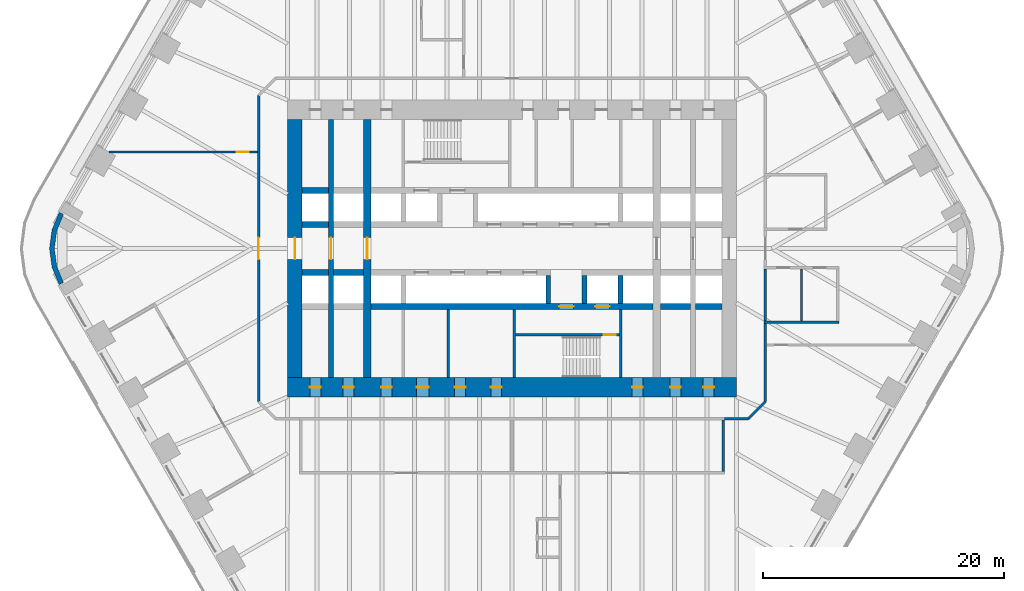
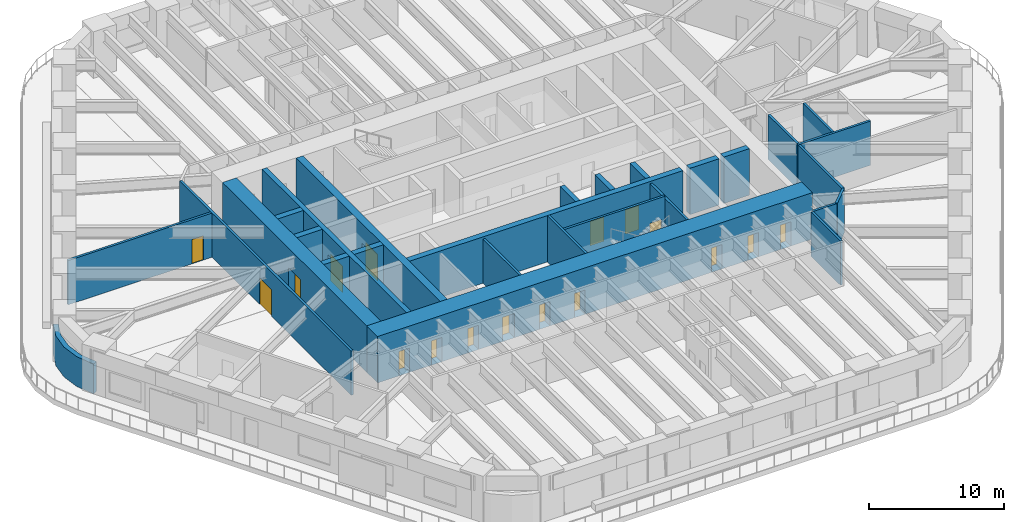
# One storey, part 17 of 24: 28 walls, 17 doors, 17 openings.
"""IFC4 building model written with IfcOpenShell, lengths in metres."""

from ifc_helpers import new_model, si_unit, direction, frame, frame_2d, origin, place, context, subcontext, project, spatial, polyline, rectangle, outline, extrude, material, layer, layer_set, type_object, element, fill, save


model = new_model("IFC4")

# Units and contexts
model_context = context("Model", 3, precision=1e-05, world=origin(), true_north=direction((0.0, 1.0)))
body_context = subcontext(model_context, "Body", "Model", "MODEL_VIEW")
ifc_project = project(units=[si_unit("LENGTHUNIT", "METRE"), si_unit("AREAUNIT", "SQUARE_METRE"), si_unit("VOLUMEUNIT", "CUBIC_METRE"), si_unit("PLANEANGLEUNIT", "RADIAN"), si_unit("MASSUNIT", "GRAM", prefix="KILO")], contexts=[model_context])

# Site, building, storey
site_placement = place(None, origin())
site = spatial("IfcSite", under=ifc_project, at=site_placement, CompositionType="ELEMENT")
building_placement = place(site_placement, origin())
building = spatial("IfcBuilding", under=site, at=building_placement, Name="Tarfa Lantern Tower", CompositionType="ELEMENT")
storey_placement = place(building_placement, frame((0.0, 0.0, 65.5)))
storey = spatial("IfcBuildingStorey", under=building, at=storey_placement, Name="L14", CompositionType="ELEMENT", Elevation=65.5)

# Walls
ifc_material_1 = material(Name="Limestone cladding on blockwork", Category="masonry")
ifc_layer_1 = layer(ifc_material_1, 0.39990234375)
ifc_layer_set_1 = layer_set([ifc_layer_1], Name="EW2 CURVED STONE CORNER 400")
wall_type_1 = type_object("IfcWallType", Name="EW2 CURVED STONE CORNER 400", PredefinedType="SOLIDWALL", material=ifc_layer_set_1)
wall_1_placement = place(storey_placement, origin())
element("IfcWall", 1, at=wall_1_placement, inside=storey, type_object=wall_type_1, Name="Stone corner NW-SW", PredefinedType="SOLIDWALL", context=body_context, shape_type="SweptSolid", body=[
    extrude(outline(polyline([(-37.52783203125, 3.0), (-38.127197265625, 1.552978515625), (-38.33154296875, 0.0), (-38.127197265625, -1.552978515625), (-37.52783203125, -3.0), (-37.181396484375, -2.800048828125), (-37.74072265625, -1.449462890625), (-37.931640625, 0.0), (-37.74072265625, 1.449462890625), (-37.181396484375, 2.800048828125), (-37.52783203125, 3.0)])), origin(), (0.0, 0.0, 1.0), 2.699951171875),
])
ifc_material_2 = material(Name="Concrete blockwork", Category="masonry")
ifc_layer_2 = layer(ifc_material_2, 0.199951171875)
ifc_layer_set_2 = layer_set([ifc_layer_2], Name="IW1 BLOCKWORK PARTITION 200 EI 120")
wall_type_2 = type_object("IfcWallType", Name="IW1 BLOCKWORK PARTITION 200 EI 120", PredefinedType="PARTITIONING", material=ifc_layer_set_2)
for number, where, z_axis, x_axis, name in (
    (2, (9.0, -5.050048828125, 0.0), (0.0, 0.0, 1.0), (0.0, -1.0, 0.0), "Core partition"),
    (3, (-5.300048828125, -5.050048828125, 0.0), (0.0, 0.0, 1.0), (0.0, -1.0, 0.0), "Core partition"),
):
    element("IfcWall", number, at=place(storey_placement, frame(where, z_axis=z_axis, x_axis=x_axis)), inside=storey, type_object=wall_type_2, Name=name, PredefinedType="PARTITIONING", context=body_context, shape_type="SweptSolid", body=[
        extrude(rectangle(XDim=5.64990234375, YDim=0.199951171875, at=frame_2d((2.824951171875, 0.0))), origin(), (0.0, 0.0, 1.0), 4.0),
    ])
ifc_material_3 = material(Name="Gypsum board on steel studs", Category="steel")
ifc_layer_3 = layer(ifc_material_3, 0.2099609375)
ifc_layer_set_3 = layer_set([ifc_layer_3], Name="IW2 ACOUSTIC PARTITION 200")
wall_type_3 = type_object("IfcWallType", Name="IW2 ACOUSTIC PARTITION 200", PredefinedType="PARTITIONING", material=ifc_layer_set_3)
wall_2_placement = place(storey_placement, frame((17.5, -14.199951171875, 0.0), z_axis=(0.0, 0.0, 1.0), x_axis=(0.0, -1.0, 0.0)))
element("IfcWall", 4, at=wall_2_placement, inside=storey, type_object=wall_type_3, Name="Partition", PredefinedType="PARTITIONING", context=body_context, shape_type="SweptSolid", body=[
    extrude(rectangle(XDim=4.300048828125, YDim=0.199951171875, at=frame_2d((2.14990234375, 0.0))), origin(), (0.0, 0.0, 1.0), 4.0),
])
wall_3_placement = place(storey_placement, frame((20.89990234375, -6.10009765625, 0.0), z_axis=(0.0, 0.0, 1.0), x_axis=(1.0, 0.0, 0.0)))
element("IfcWall", 5, at=wall_3_placement, inside=storey, type_object=wall_type_3, Name="Partition", PredefinedType="PARTITIONING", context=body_context, shape_type="SweptSolid", body=[
    extrude(rectangle(XDim=6.2001953125, YDim=0.199951171875, at=frame_2d((3.10009765625, 0.0))), origin(), (0.0, 0.0, 1.0), 4.0),
])
for number, where, z_axis, x_axis, name in (
    (6, (21.0, -1.699951171875, 0.0), (0.0, 0.0, 1.0), (0.0, -1.0, 0.0), "Partition"),
    (7, (24.0, -1.699951171875, 0.0), (0.0, 0.0, 1.0), (0.0, -1.0, 0.0), "Partition"),
):
    element("IfcWall", number, at=place(storey_placement, frame(where, z_axis=z_axis, x_axis=x_axis)), inside=storey, type_object=wall_type_3, Name=name, PredefinedType="PARTITIONING", context=body_context, shape_type="SweptSolid", body=[
        extrude(rectangle(XDim=4.300048828125, YDim=0.199951171875, at=frame_2d((2.14990234375, 0.0))), origin(), (0.0, 0.0, 1.0), 4.0),
    ])
wall_4_placement = place(storey_placement, frame((21.0, -6.200927734375, 0.0), z_axis=(0.0, 0.0, 1.0), x_axis=(0.0, -1.0, 0.0)))
element("IfcWall", 8, at=wall_4_placement, inside=storey, type_object=wall_type_3, Name="Partition", PredefinedType="PARTITIONING", context=body_context, shape_type="SweptSolid", body=[
    extrude(rectangle(XDim=6.4990234375, YDim=0.199951171875, at=frame_2d((3.24951171875, 0.0))), origin(), (0.0, 0.0, 1.0), 4.0),
])
wall_5_placement = place(storey_placement, frame((21.0, -12.699951171875, 0.0), z_axis=(0.0, 0.0, 1.0), x_axis=(-0.707045124756, -0.707168432242, 0.0)))
element("IfcWall", 9, at=wall_5_placement, inside=storey, type_object=wall_type_3, Name="Partition", PredefinedType="PARTITIONING", context=body_context, shape_type="SweptSolid", body=[
    extrude(rectangle(XDim=1.97998046875, YDim=0.199951171875, at=frame_2d((0.989990234375, 0.0))), origin(), (0.0, 0.0, 1.0), 4.0),
])
wall_6_placement = place(storey_placement, frame((19.60009765625, -14.10009765625, 0.0), z_axis=(0.0, 0.0, 1.0), x_axis=(-1.0, 0.0, 0.0)))
element("IfcWall", 10, at=wall_6_placement, inside=storey, type_object=wall_type_3, Name="Partition", PredefinedType="PARTITIONING", context=body_context, shape_type="SweptSolid", body=[
    extrude(rectangle(XDim=2.0, YDim=0.199951171875, at=frame_2d((1.0, 0.0))), origin(), (0.0, 0.0, 1.0), 4.0),
])

# Wall, opening, door
wall_7_placement = place(storey_placement, frame((-21.0, -12.699951171875, 0.0), z_axis=(0.0, 0.0, 1.0), x_axis=(0.0, 1.0, 0.0)))
wall_7 = element("IfcWall", 11, at=wall_7_placement, inside=storey, type_object=wall_type_3, Name="Partition", PredefinedType="PARTITIONING", context=body_context, shape_type="SweptSolid", body=[
    extrude(rectangle(XDim=25.39990234375, YDim=0.199951171875, at=frame_2d((12.699951171875, 0.0))), origin(), (0.0, 0.0, 1.0), 4.0),
])
opening_1_placement = place(wall_7_placement, frame((11.800048828125, 0.0, 0.0)))
opening_1 = element("IfcOpeningElement", 12, at=opening_1_placement, cuts=wall_7, Name="Opening D49", PredefinedType="OPENING", context=body_context, shape_type="SweptSolid", body=[
    extrude(rectangle(XDim=1.800048828125, YDim=2.39990234375, at=frame_2d((0.89990234375, 1.199951171875))), frame((0.0, 0.10986328125, 0.0), z_axis=(0.0, -1.0, 0.0), x_axis=(1.0, 0.0, 0.0)), (0.0, 0.0, 1.0), 0.219970703125),
])
ifc_material_4 = material(Name="Timber door", Category="wood")
door_type_1 = type_object("IfcDoorType", Name="DR2 ROOM DOOR 1800x2400", OperationType="DOUBLE_DOOR_SINGLE_SWING", PredefinedType="DOOR", material=ifc_material_4)
door_1_placement = place(opening_1_placement, origin())
door_1 = element("IfcDoor", 13, at=door_1_placement, inside=storey, type_object=door_type_1, Name="Corridor door", OperationType="DOUBLE_DOOR_SINGLE_SWING", OverallHeight=2.39990234375, OverallWidth=1.800048828125, PredefinedType="DOOR", context=body_context, shape_type="SweptSolid", body=[
    extrude(rectangle(XDim=1.800048828125, YDim=2.39990234375, at=frame_2d((0.89990234375, 1.199951171875))), frame((0.0, 0.02490234375, 0.0), z_axis=(0.0, -1.0, 0.0), x_axis=(1.0, 0.0, 0.0)), (0.0, 0.0, 1.0), 0.050048828125),
])
fill(opening_1, door_1)

wall_8_placement = place(storey_placement, frame((-21.10009765625, 8.0, 0.0), z_axis=(0.0, 0.0, 1.0), x_axis=(-1.0, 0.0, 0.0)))
wall_8 = element("IfcWall", 14, at=wall_8_placement, inside=storey, type_object=wall_type_3, Name="Partition", PredefinedType="PARTITIONING", context=body_context, shape_type="SweptSolid", body=[
    extrude(rectangle(XDim=12.310791015625, YDim=0.199951171875, at=frame_2d((6.1552734375, 0.0))), origin(), (0.0, 0.0, 1.0), 4.0),
])
opening_2_placement = place(wall_8_placement, frame((0.731201171875, 0.0, 0.0)))
opening_2 = element("IfcOpeningElement", 15, at=opening_2_placement, cuts=wall_8, Name="Opening D53", PredefinedType="OPENING", context=body_context, shape_type="SweptSolid", body=[
    extrude(rectangle(XDim=1.0, YDim=2.199951171875, at=frame_2d((0.5, 1.10009765625))), frame((0.0, 0.10986328125, 0.0), z_axis=(0.0, -1.0, 0.0), x_axis=(1.0, 0.0, 0.0)), (0.0, 0.0, 1.0), 0.219970703125),
])
door_type_2 = type_object("IfcDoorType", Name="DR1 ROOM DOOR 1000x2200", OperationType="SINGLE_SWING_LEFT", PredefinedType="DOOR", material=ifc_material_4)
door_2_placement = place(opening_2_placement, frame((1.0, 0.0, 0.0), z_axis=(0.0, 0.0, 1.0), x_axis=(-1.0, 0.0, 0.0)))
door_2 = element("IfcDoor", 16, at=door_2_placement, inside=storey, type_object=door_type_2, Name="Zone door", OperationType="SINGLE_SWING_LEFT", OverallHeight=2.199951171875, OverallWidth=1.0, PredefinedType="DOOR", context=body_context, shape_type="SweptSolid", body=[
    extrude(rectangle(XDim=1.0, YDim=2.199951171875, at=frame_2d((0.5, 1.10009765625))), frame((0.0, 0.02490234375, 0.0), z_axis=(0.0, -1.0, 0.0), x_axis=(1.0, 0.0, 0.0)), (0.0, 0.0, 1.0), 0.050048828125),
])
fill(opening_2, door_2)

ifc_material_5 = material(Name="Concrete C80/95", Category="concrete")
ifc_layer_4 = layer(ifc_material_5, 1.199951171875)
ifc_layer_set_4 = layer_set([ifc_layer_4], Name="SW1 CORE WALL 1200")
wall_type_4 = type_object("IfcWallType", Name="SW1 CORE WALL 1200", PredefinedType="SHEAR", material=ifc_layer_set_4)
wall_9_placement = place(storey_placement, frame((-18.0, 10.699951171875, 0.0), z_axis=(0.0, 0.0, 1.0), x_axis=(0.0, -1.0, 0.0)))
wall_9 = element("IfcWall", 17, at=wall_9_placement, inside=storey, type_object=wall_type_4, Name="Core wall W", PredefinedType="SHEAR", context=body_context, shape_type="SweptSolid", body=[
    extrude(rectangle(XDim=21.39990234375, YDim=1.199951171875, at=frame_2d((10.699951171875, 0.0))), origin(), (0.0, 0.0, 1.0), 4.199951171875),
])
opening_3_placement = place(wall_9_placement, frame((9.800048828125, 0.0, 0.0)))
opening_3 = element("IfcOpeningElement", 18, at=opening_3_placement, cuts=wall_9, Name="Opening D16", PredefinedType="OPENING", context=body_context, shape_type="SweptSolid", body=[
    extrude(rectangle(XDim=1.800048828125, YDim=2.39990234375, at=frame_2d((0.89990234375, 1.199951171875))), frame((0.0, 0.60986328125, 0.0), z_axis=(0.0, -1.0, 0.0), x_axis=(1.0, 0.0, 0.0)), (0.0, 0.0, 1.0), 1.219970703125),
])
ifc_material_6 = material(Name="Steel fire door", Category="steel")
door_type_3 = type_object("IfcDoorType", Name="DL1 LOBBY DOOR 1800x2400", OperationType="DOUBLE_DOOR_SINGLE_SWING", PredefinedType="DOOR", material=ifc_material_6)
door_3_placement = place(opening_3_placement, frame((1.800048828125, 0.0, 0.0), z_axis=(0.0, 0.0, 1.0), x_axis=(-1.0, 0.0, 0.0)))
door_3 = element("IfcDoor", 19, at=door_3_placement, inside=storey, type_object=door_type_3, Name="Lift lobby door", OperationType="DOUBLE_DOOR_SINGLE_SWING", OverallHeight=2.39990234375, OverallWidth=1.800048828125, PredefinedType="DOOR", context=body_context, shape_type="SweptSolid", body=[
    extrude(rectangle(XDim=1.800048828125, YDim=2.39990234375, at=frame_2d((0.89990234375, 1.199951171875))), frame((0.0, 0.02490234375, 0.0), z_axis=(0.0, -1.0, 0.0), x_axis=(1.0, 0.0, 0.0)), (0.0, 0.0, 1.0), 0.050048828125),
])
fill(opening_3, door_3)

# Wall
ifc_layer_5 = layer(ifc_material_5, 0.199951171875)
ifc_layer_set_5 = layer_set([ifc_layer_5], Name="SW12 CORE WALL 200")
wall_type_5 = type_object("IfcWallType", Name="SW12 CORE WALL 200", PredefinedType="SHEAR", material=ifc_layer_set_5)
wall_10_placement = place(storey_placement, frame((0.199951171875, -5.050048828125, 0.0), z_axis=(0.0, 0.0, 1.0), x_axis=(0.0, -1.0, 0.0)))
element("IfcWall", 20, at=wall_10_placement, inside=storey, type_object=wall_type_5, Name="Core wall stair shaft S", PredefinedType="SHEAR", context=body_context, shape_type="SweptSolid", body=[
    extrude(rectangle(XDim=5.64990234375, YDim=0.199951171875, at=frame_2d((2.824951171875, 0.0))), origin(), (0.0, 0.0, 1.0), 4.199951171875),
])

# Wall, opening, door
wall_11_placement = place(storey_placement, frame((8.89990234375, -7.14990234375, 0.0), z_axis=(0.0, 0.0, 1.0), x_axis=(-1.0, 0.0, 0.0)))
wall_11 = element("IfcWall", 21, at=wall_11_placement, inside=storey, type_object=wall_type_5, Name="Core wall stair partition S", PredefinedType="SHEAR", context=body_context, shape_type="SweptSolid", body=[
    extrude(rectangle(XDim=8.599853515625, YDim=0.199951171875, at=frame_2d((4.2998046875, 0.0))), origin(), (0.0, 0.0, 1.0), 4.199951171875),
])
opening_4_placement = place(wall_11_placement, frame((0.300048828125, 0.0, 0.0)))
opening_4 = element("IfcOpeningElement", 22, at=opening_4_placement, cuts=wall_11, Name="Opening D24", PredefinedType="OPENING", context=body_context, shape_type="SweptSolid", body=[
    extrude(rectangle(XDim=1.0, YDim=2.199951171875, at=frame_2d((0.5, 1.10009765625))), frame((0.0, 0.10986328125, 0.0), z_axis=(0.0, -1.0, 0.0), x_axis=(1.0, 0.0, 0.0)), (0.0, 0.0, 1.0), 0.219970703125),
])
door_type_4 = type_object("IfcDoorType", Name="DF2 STAIR DOOR 1000x2200", OperationType="SINGLE_SWING_LEFT", PredefinedType="DOOR", material=ifc_material_6)
door_4_placement = place(opening_4_placement, origin())
door_4 = element("IfcDoor", 23, at=door_4_placement, inside=storey, type_object=door_type_4, Name="Stair door", OperationType="SINGLE_SWING_RIGHT", OverallHeight=2.199951171875, OverallWidth=1.0, PredefinedType="DOOR", context=body_context, shape_type="SweptSolid", body=[
    extrude(rectangle(XDim=1.0, YDim=2.199951171875, at=frame_2d((0.5, 1.10009765625))), frame((0.0, 0.02490234375, 0.0), z_axis=(0.0, -1.0, 0.0), x_axis=(1.0, 0.0, 0.0)), (0.0, 0.0, 1.0), 0.050048828125),
])
fill(opening_4, door_4)

# Walls
ifc_layer_6 = layer(ifc_material_5, 0.5)
ifc_layer_set_6 = layer_set([ifc_layer_6], Name="SW5 CORE WALL 500")
wall_type_6 = type_object("IfcWallType", Name="SW5 CORE WALL 500", PredefinedType="SHEAR", material=ifc_layer_set_6)
for number, where, z_axis, x_axis, name in (
    (24, (-17.39990234375, 2.0, 0.0), (0.0, 0.0, 1.0), (1.0, 0.0, 0.0), "Core wall lobby west N"),
    (25, (-17.39990234375, 4.800048828125, 0.0), (0.0, 0.0, 1.0), (1.0, 0.0, 0.0), "Core wall rear N"),
):
    element("IfcWall", number, at=place(storey_placement, frame(where, z_axis=z_axis, x_axis=x_axis)), inside=storey, type_object=wall_type_6, Name=name, PredefinedType="SHEAR", context=body_context, shape_type="SweptSolid", body=[
        extrude(rectangle(XDim=2.199951171875, YDim=0.5, at=frame_2d((1.10009765625, 0.0))), origin(), (0.0, 0.0, 1.0), 4.199951171875),
    ])
wall_12_placement = place(storey_placement, frame((-12.300048828125, -2.0, 0.0), z_axis=(0.0, 0.0, 1.0), x_axis=(-1.0, 0.0, 0.0)))
element("IfcWall", 26, at=wall_12_placement, inside=storey, type_object=wall_type_6, Name="Core wall lobby east S", PredefinedType="SHEAR", context=body_context, shape_type="SweptSolid", body=[
    extrude(rectangle(XDim=2.5, YDim=0.5, at=frame_2d((1.25, 0.0))), origin(), (0.0, 0.0, 1.0), 4.199951171875),
])
for number, where, z_axis, x_axis, name in (
    (27, (-15.199951171875, -2.0, 0.0), (0.0, 0.0, 1.0), (-1.0, 0.0, 0.0), "Core wall lobby east S"),
    (28, (17.39990234375, -4.800048828125, 0.0), (0.0, 0.0, 1.0), (-1.0, 0.0, 0.0), "Core wall rear S"),
):
    element("IfcWall", number, at=place(storey_placement, frame(where, z_axis=z_axis, x_axis=x_axis)), inside=storey, type_object=wall_type_6, Name=name, PredefinedType="SHEAR", context=body_context, shape_type="SweptSolid", body=[
        extrude(rectangle(XDim=2.199951171875, YDim=0.5, at=frame_2d((1.10009765625, 0.0))), origin(), (0.0, 0.0, 1.0), 4.199951171875),
    ])
wall_13_placement = place(storey_placement, frame((14.800048828125, -4.800048828125, 0.0), z_axis=(0.0, 0.0, 1.0), x_axis=(-1.0, 0.0, 0.0)))
element("IfcWall", 29, at=wall_13_placement, inside=storey, type_object=wall_type_6, Name="Core wall rear S", PredefinedType="SHEAR", context=body_context, shape_type="SweptSolid", body=[
    extrude(rectangle(XDim=2.5, YDim=0.5, at=frame_2d((1.25, 0.0))), origin(), (0.0, 0.0, 1.0), 4.199951171875),
])

# Wall, openings, doors
wall_14_placement = place(storey_placement, frame((11.699951171875, -4.800048828125, 0.0), z_axis=(0.0, 0.0, 1.0), x_axis=(-1.0, 0.0, 0.0)))
wall_14 = element("IfcWall", 30, at=wall_14_placement, inside=storey, type_object=wall_type_6, Name="Core wall rear S", PredefinedType="SHEAR", context=body_context, shape_type="SweptSolid", body=[
    extrude(rectangle(XDim=23.39990234375, YDim=0.5, at=frame_2d((11.699951171875, 0.0))), origin(), (0.0, 0.0, 1.0), 4.199951171875),
])
opening_5_placement = place(wall_14_placement, frame((6.60009765625, 0.0, 0.0)))
opening_5 = element("IfcOpeningElement", 31, at=opening_5_placement, cuts=wall_14, Name="Opening D14", PredefinedType="OPENING", context=body_context, shape_type="SweptSolid", body=[
    extrude(rectangle(XDim=1.199951171875, YDim=2.199951171875, at=frame_2d((0.60009765625, 1.10009765625))), frame((0.0, 0.260009765625, 0.0), z_axis=(0.0, -1.0, 0.0), x_axis=(1.0, 0.0, 0.0)), (0.0, 0.0, 1.0), 0.52001953125),
])
opening_6_placement = place(wall_14_placement, frame((3.60009765625, 0.0, 0.0)))
opening_6 = element("IfcOpeningElement", 32, at=opening_6_placement, cuts=wall_14, Name="Opening LD02", PredefinedType="OPENING", context=body_context, shape_type="SweptSolid", body=[
    extrude(rectangle(XDim=1.199951171875, YDim=2.199951171875, at=frame_2d((0.60009765625, 1.10009765625))), frame((0.0, 0.260009765625, 0.0), z_axis=(0.0, -1.0, 0.0), x_axis=(1.0, 0.0, 0.0)), (0.0, 0.0, 1.0), 0.52001953125),
])
door_type_5 = type_object("IfcDoorType", Name="DF1 FIREFIGHTING LOBBY DOOR 1200x2200", OperationType="SINGLE_SWING_LEFT", PredefinedType="DOOR", material=ifc_material_6)
door_5_placement = place(opening_5_placement, origin())
door_5 = element("IfcDoor", 33, at=door_5_placement, inside=storey, type_object=door_type_5, Name="Firefighting lobby door", OperationType="SINGLE_SWING_LEFT", OverallHeight=2.199951171875, OverallWidth=1.199951171875, PredefinedType="DOOR", context=body_context, shape_type="SweptSolid", body=[
    extrude(rectangle(XDim=1.199951171875, YDim=2.199951171875, at=frame_2d((0.60009765625, 1.10009765625))), frame((0.0, 0.02490234375, 0.0), z_axis=(0.0, -1.0, 0.0), x_axis=(1.0, 0.0, 0.0)), (0.0, 0.0, 1.0), 0.050048828125),
])
fill(opening_5, door_5)
ifc_material_7 = material(Name="Stainless steel lift door", Category="steel")
door_type_6 = type_object("IfcDoorType", Name="LD1 LIFT LANDING DOOR 1200x2200", OperationType="SLIDING_TO_LEFT", PredefinedType="DOOR", material=ifc_material_7)
door_6_placement = place(opening_6_placement, origin())
door_6 = element("IfcDoor", 34, at=door_6_placement, inside=storey, type_object=door_type_6, Name="Landing door FL2", OperationType="SLIDING_TO_LEFT", OverallHeight=2.199951171875, OverallWidth=1.199951171875, PredefinedType="DOOR", context=body_context, shape_type="SweptSolid", body=[
    extrude(rectangle(XDim=1.199951171875, YDim=2.199951171875, at=frame_2d((0.60009765625, 1.10009765625))), frame((0.0, 0.02490234375, 0.0), z_axis=(0.0, -1.0, 0.0), x_axis=(1.0, 0.0, 0.0)), (0.0, 0.0, 1.0), 0.050048828125),
])
fill(opening_6, door_6)

# Wall, opening, door
ifc_layer_7 = layer(ifc_material_5, 0.39990234375)
ifc_layer_set_7 = layer_set([ifc_layer_7], Name="SW6 CORE WALL 400")
wall_type_7 = type_object("IfcWallType", Name="SW6 CORE WALL 400", PredefinedType="SHEAR", material=ifc_layer_set_7)
wall_15_placement = place(storey_placement, frame((-15.0, -10.699951171875, 0.0), z_axis=(0.0, 0.0, 1.0), x_axis=(0.0, 1.0, 0.0)))
wall_15 = element("IfcWall", 35, at=wall_15_placement, inside=storey, type_object=wall_type_7, Name="Core wall cross 15 m west", PredefinedType="SHEAR", context=body_context, shape_type="SweptSolid", body=[
    extrude(rectangle(XDim=21.39990234375, YDim=0.39990234375, at=frame_2d((10.699951171875, 0.0))), origin(), (0.0, 0.0, 1.0), 4.199951171875),
])
opening_7_placement = place(wall_15_placement, frame((9.800048828125, 0.0, 0.0)))
opening_7 = element("IfcOpeningElement", 36, at=opening_7_placement, cuts=wall_15, Name="Opening D28", PredefinedType="OPENING", context=body_context, shape_type="SweptSolid", body=[
    extrude(rectangle(XDim=1.800048828125, YDim=2.39990234375, at=frame_2d((0.89990234375, 1.199951171875))), frame((0.0, 0.2099609375, 0.0), z_axis=(0.0, -1.0, 0.0), x_axis=(1.0, 0.0, 0.0)), (0.0, 0.0, 1.0), 0.419921875),
])
door_7_placement = place(opening_7_placement, origin())
door_7 = element("IfcDoor", 37, at=door_7_placement, inside=storey, type_object=door_type_3, Name="Lift lobby door", OperationType="DOUBLE_DOOR_SINGLE_SWING", OverallHeight=2.39990234375, OverallWidth=1.800048828125, PredefinedType="DOOR", context=body_context, shape_type="SweptSolid", body=[
    extrude(rectangle(XDim=1.800048828125, YDim=2.39990234375, at=frame_2d((0.89990234375, 1.199951171875))), frame((0.0, 0.02490234375, 0.0), z_axis=(0.0, -1.0, 0.0), x_axis=(1.0, 0.0, 0.0)), (0.0, 0.0, 1.0), 0.050048828125),
])
fill(opening_7, door_7)

# Walls
for number, where, z_axis, x_axis, name in (
    (38, (9.0, -2.25, 0.0), (0.0, 0.0, 1.0), (0.0, -1.0, 0.0), "Core wall divider S"),
    (39, (6.0, -2.25, 0.0), (0.0, 0.0, 1.0), (0.0, -1.0, 0.0), "Core wall divider S"),
    (40, (3.0, -2.25, 0.0), (0.0, 0.0, 1.0), (0.0, -1.0, 0.0), "Core wall divider S"),
):
    element("IfcWall", number, at=place(storey_placement, frame(where, z_axis=z_axis, x_axis=x_axis)), inside=storey, type_object=wall_type_7, Name=name, PredefinedType="SHEAR", context=body_context, shape_type="SweptSolid", body=[
        extrude(rectangle(XDim=2.300048828125, YDim=0.39990234375, at=frame_2d((1.14990234375, 0.0))), origin(), (0.0, 0.0, 1.0), 4.199951171875),
    ])

# Wall, openings, doors
ifc_layer_8 = layer(ifc_material_5, 1.60009765625)
ifc_layer_set_8 = layer_set([ifc_layer_8], Name="SW7 CORE WALL 1600")
wall_type_8 = type_object("IfcWallType", Name="SW7 CORE WALL 1600", PredefinedType="SHEAR", material=ifc_layer_set_8)
wall_16_placement = place(storey_placement, frame((18.60009765625, -11.5, 0.0), z_axis=(0.0, 0.0, 1.0), x_axis=(-1.0, 0.0, 0.0)))
wall_16 = element("IfcWall", 41, at=wall_16_placement, inside=storey, type_object=wall_type_8, Name="Core wall S", PredefinedType="SHEAR", context=body_context, shape_type="SweptSolid", body=[
    extrude(rectangle(XDim=37.2001953125, YDim=1.60009765625, at=frame_2d((18.60009765625, 0.0))), origin(), (0.0, 0.0, 1.0), 4.199951171875),
])
opening_8_placement = place(wall_16_placement, frame((19.449951171875, 0.0, 0.0)))
opening_8 = element("IfcOpeningElement", 42, at=opening_8_placement, cuts=wall_16, Name="Opening D18", PredefinedType="OPENING", context=body_context, shape_type="SweptSolid", body=[
    extrude(rectangle(XDim=0.89990234375, YDim=2.199951171875, at=frame_2d((0.449951171875, 1.10009765625))), frame((0.0, 0.81005859375, 0.0), z_axis=(0.0, -1.0, 0.0), x_axis=(1.0, 0.0, 0.0)), (0.0, 0.0, 1.0), 1.6201171875),
])
opening_9_placement = place(wall_16_placement, frame((22.449951171875, 0.0, 0.0)))
opening_9 = element("IfcOpeningElement", 43, at=opening_9_placement, cuts=wall_16, Name="Opening D20", PredefinedType="OPENING", context=body_context, shape_type="SweptSolid", body=[
    extrude(rectangle(XDim=0.89990234375, YDim=2.199951171875, at=frame_2d((0.449951171875, 1.10009765625))), frame((0.0, 0.81005859375, 0.0), z_axis=(0.0, -1.0, 0.0), x_axis=(1.0, 0.0, 0.0)), (0.0, 0.0, 1.0), 1.6201171875),
])
opening_10_placement = place(wall_16_placement, frame((25.5, 0.0, 0.0)))
opening_10 = element("IfcOpeningElement", 44, at=opening_10_placement, cuts=wall_16, Name="Opening D22", PredefinedType="OPENING", context=body_context, shape_type="SweptSolid", body=[
    extrude(rectangle(XDim=1.0, YDim=2.199951171875, at=frame_2d((0.5, 1.10009765625))), frame((0.0, 0.81005859375, 0.0), z_axis=(0.0, -1.0, 0.0), x_axis=(1.0, 0.0, 0.0)), (0.0, 0.0, 1.0), 1.6201171875),
])
opening_11_placement = place(wall_16_placement, frame((1.85009765625, 0.0, 0.0)))
opening_11 = element("IfcOpeningElement", 45, at=opening_11_placement, cuts=wall_16, Name="Opening D12", PredefinedType="OPENING", context=body_context, shape_type="SweptSolid", body=[
    extrude(rectangle(XDim=0.89990234375, YDim=2.199951171875, at=frame_2d((0.449951171875, 1.10009765625))), frame((0.0, 0.81005859375, 0.0), z_axis=(0.0, -1.0, 0.0), x_axis=(1.0, 0.0, 0.0)), (0.0, 0.0, 1.0), 1.6201171875),
])
opening_12_placement = place(wall_16_placement, frame((4.60009765625, 0.0, 0.0)))
opening_12 = element("IfcOpeningElement", 46, at=opening_12_placement, cuts=wall_16, Name="Opening D08", PredefinedType="OPENING", context=body_context, shape_type="SweptSolid", body=[
    extrude(rectangle(XDim=0.89990234375, YDim=2.199951171875, at=frame_2d((0.449951171875, 1.10009765625))), frame((0.0, 0.81005859375, 0.0), z_axis=(0.0, -1.0, 0.0), x_axis=(1.0, 0.0, 0.0)), (0.0, 0.0, 1.0), 1.6201171875),
])
opening_13_placement = place(wall_16_placement, frame((7.75, 0.0, 0.0)))
opening_13 = element("IfcOpeningElement", 47, at=opening_13_placement, cuts=wall_16, Name="Opening D10", PredefinedType="OPENING", context=body_context, shape_type="SweptSolid", body=[
    extrude(rectangle(XDim=0.89990234375, YDim=2.199951171875, at=frame_2d((0.449951171875, 1.10009765625))), frame((0.0, 0.81005859375, 0.0), z_axis=(0.0, -1.0, 0.0), x_axis=(1.0, 0.0, 0.0)), (0.0, 0.0, 1.0), 1.6201171875),
])
opening_14_placement = place(wall_16_placement, frame((28.550048828125, 0.0, 0.0)))
opening_14 = element("IfcOpeningElement", 48, at=opening_14_placement, cuts=wall_16, Name="Opening D06", PredefinedType="OPENING", context=body_context, shape_type="SweptSolid", body=[
    extrude(rectangle(XDim=0.89990234375, YDim=2.199951171875, at=frame_2d((0.449951171875, 1.10009765625))), frame((0.0, 0.81005859375, 0.0), z_axis=(0.0, -1.0, 0.0), x_axis=(1.0, 0.0, 0.0)), (0.0, 0.0, 1.0), 1.6201171875),
])
opening_15_placement = place(wall_16_placement, frame((31.699951171875, 0.0, 0.0)))
opening_15 = element("IfcOpeningElement", 49, at=opening_15_placement, cuts=wall_16, Name="Opening D02", PredefinedType="OPENING", context=body_context, shape_type="SweptSolid", body=[
    extrude(rectangle(XDim=0.89990234375, YDim=2.199951171875, at=frame_2d((0.449951171875, 1.10009765625))), frame((0.0, 0.81005859375, 0.0), z_axis=(0.0, -1.0, 0.0), x_axis=(1.0, 0.0, 0.0)), (0.0, 0.0, 1.0), 1.6201171875),
])
opening_16_placement = place(wall_16_placement, frame((34.449951171875, 0.0, 0.0)))
opening_16 = element("IfcOpeningElement", 50, at=opening_16_placement, cuts=wall_16, Name="Opening D04", PredefinedType="OPENING", context=body_context, shape_type="SweptSolid", body=[
    extrude(rectangle(XDim=0.89990234375, YDim=2.199951171875, at=frame_2d((0.449951171875, 1.10009765625))), frame((0.0, 0.81005859375, 0.0), z_axis=(0.0, -1.0, 0.0), x_axis=(1.0, 0.0, 0.0)), (0.0, 0.0, 1.0), 1.6201171875),
])
door_type_7 = type_object("IfcDoorType", Name="DF3 CORE ROOM DOOR 900x2200", OperationType="SINGLE_SWING_LEFT", PredefinedType="DOOR", material=ifc_material_6)
door_8_placement = place(opening_8_placement, frame((0.89990234375, 0.0, 0.0), z_axis=(0.0, 0.0, 1.0), x_axis=(-1.0, 0.0, 0.0)))
door_8 = element("IfcDoor", 51, at=door_8_placement, inside=storey, type_object=door_type_7, Name="Core door", OperationType="SINGLE_SWING_LEFT", OverallHeight=2.199951171875, OverallWidth=0.89990234375, PredefinedType="DOOR", context=body_context, shape_type="SweptSolid", body=[
    extrude(rectangle(XDim=0.89990234375, YDim=2.199951171875, at=frame_2d((0.449951171875, 1.10009765625))), frame((0.0, 0.02490234375, 0.0), z_axis=(0.0, -1.0, 0.0), x_axis=(1.0, 0.0, 0.0)), (0.0, 0.0, 1.0), 0.050048828125),
])
fill(opening_8, door_8)
door_9_placement = place(opening_9_placement, frame((0.89990234375, 0.0, 0.0), z_axis=(0.0, 0.0, 1.0), x_axis=(-1.0, 0.0, 0.0)))
door_9 = element("IfcDoor", 52, at=door_9_placement, inside=storey, type_object=door_type_7, Name="Core door", OperationType="SINGLE_SWING_RIGHT", OverallHeight=2.199951171875, OverallWidth=0.89990234375, PredefinedType="DOOR", context=body_context, shape_type="SweptSolid", body=[
    extrude(rectangle(XDim=0.89990234375, YDim=2.199951171875, at=frame_2d((0.449951171875, 1.10009765625))), frame((0.0, 0.02490234375, 0.0), z_axis=(0.0, -1.0, 0.0), x_axis=(1.0, 0.0, 0.0)), (0.0, 0.0, 1.0), 0.050048828125),
])
fill(opening_9, door_9)
door_type_8 = type_object("IfcDoorType", Name="DF4 CORE ROOM DOOR 1000x2200", OperationType="SINGLE_SWING_LEFT", PredefinedType="DOOR", material=ifc_material_6)
door_10_placement = place(opening_10_placement, frame((1.0, 0.0, 0.0), z_axis=(0.0, 0.0, 1.0), x_axis=(-1.0, 0.0, 0.0)))
door_10 = element("IfcDoor", 53, at=door_10_placement, inside=storey, type_object=door_type_8, Name="Core door", OperationType="SINGLE_SWING_RIGHT", OverallHeight=2.199951171875, OverallWidth=1.0, PredefinedType="DOOR", context=body_context, shape_type="SweptSolid", body=[
    extrude(rectangle(XDim=1.0, YDim=2.199951171875, at=frame_2d((0.5, 1.10009765625))), frame((0.0, 0.02490234375, 0.0), z_axis=(0.0, -1.0, 0.0), x_axis=(1.0, 0.0, 0.0)), (0.0, 0.0, 1.0), 0.050048828125),
])
fill(opening_10, door_10)
door_type_9 = type_object("IfcDoorType", Name="DF5 RISER DOOR 900x2200", OperationType="SINGLE_SWING_LEFT", PredefinedType="DOOR", material=ifc_material_6)
door_11_placement = place(opening_11_placement, frame((0.89990234375, 0.0, 0.0), z_axis=(0.0, 0.0, 1.0), x_axis=(-1.0, 0.0, 0.0)))
door_11 = element("IfcDoor", 54, at=door_11_placement, inside=storey, type_object=door_type_9, Name="Riser door", OperationType="SINGLE_SWING_LEFT", OverallHeight=2.199951171875, OverallWidth=0.89990234375, PredefinedType="DOOR", context=body_context, shape_type="SweptSolid", body=[
    extrude(rectangle(XDim=0.89990234375, YDim=2.199951171875, at=frame_2d((0.449951171875, 1.10009765625))), frame((0.0, 0.02490234375, 0.0), z_axis=(0.0, -1.0, 0.0), x_axis=(1.0, 0.0, 0.0)), (0.0, 0.0, 1.0), 0.050048828125),
])
fill(opening_11, door_11)
door_12_placement = place(opening_12_placement, frame((0.89990234375, 0.0, 0.0), z_axis=(0.0, 0.0, 1.0), x_axis=(-1.0, 0.0, 0.0)))
door_12 = element("IfcDoor", 55, at=door_12_placement, inside=storey, type_object=door_type_9, Name="Riser door", OperationType="SINGLE_SWING_LEFT", OverallHeight=2.199951171875, OverallWidth=0.89990234375, PredefinedType="DOOR", context=body_context, shape_type="SweptSolid", body=[
    extrude(rectangle(XDim=0.89990234375, YDim=2.199951171875, at=frame_2d((0.449951171875, 1.10009765625))), frame((0.0, 0.02490234375, 0.0), z_axis=(0.0, -1.0, 0.0), x_axis=(1.0, 0.0, 0.0)), (0.0, 0.0, 1.0), 0.050048828125),
])
fill(opening_12, door_12)
door_13_placement = place(opening_13_placement, frame((0.89990234375, 0.0, 0.0), z_axis=(0.0, 0.0, 1.0), x_axis=(-1.0, 0.0, 0.0)))
door_13 = element("IfcDoor", 56, at=door_13_placement, inside=storey, type_object=door_type_9, Name="Riser door", OperationType="SINGLE_SWING_LEFT", OverallHeight=2.199951171875, OverallWidth=0.89990234375, PredefinedType="DOOR", context=body_context, shape_type="SweptSolid", body=[
    extrude(rectangle(XDim=0.89990234375, YDim=2.199951171875, at=frame_2d((0.449951171875, 1.10009765625))), frame((0.0, 0.02490234375, 0.0), z_axis=(0.0, -1.0, 0.0), x_axis=(1.0, 0.0, 0.0)), (0.0, 0.0, 1.0), 0.050048828125),
])
fill(opening_13, door_13)
door_14_placement = place(opening_14_placement, frame((0.89990234375, 0.0, 0.0), z_axis=(0.0, 0.0, 1.0), x_axis=(-1.0, 0.0, 0.0)))
door_14 = element("IfcDoor", 57, at=door_14_placement, inside=storey, type_object=door_type_9, Name="Riser door", OperationType="SINGLE_SWING_RIGHT", OverallHeight=2.199951171875, OverallWidth=0.89990234375, PredefinedType="DOOR", context=body_context, shape_type="SweptSolid", body=[
    extrude(rectangle(XDim=0.89990234375, YDim=2.199951171875, at=frame_2d((0.449951171875, 1.10009765625))), frame((0.0, 0.02490234375, 0.0), z_axis=(0.0, -1.0, 0.0), x_axis=(1.0, 0.0, 0.0)), (0.0, 0.0, 1.0), 0.050048828125),
])
fill(opening_14, door_14)
door_15_placement = place(opening_15_placement, frame((0.89990234375, 0.0, 0.0), z_axis=(0.0, 0.0, 1.0), x_axis=(-1.0, 0.0, 0.0)))
door_15 = element("IfcDoor", 58, at=door_15_placement, inside=storey, type_object=door_type_9, Name="Riser door", OperationType="SINGLE_SWING_RIGHT", OverallHeight=2.199951171875, OverallWidth=0.89990234375, PredefinedType="DOOR", context=body_context, shape_type="SweptSolid", body=[
    extrude(rectangle(XDim=0.89990234375, YDim=2.199951171875, at=frame_2d((0.449951171875, 1.10009765625))), frame((0.0, 0.02490234375, 0.0), z_axis=(0.0, -1.0, 0.0), x_axis=(1.0, 0.0, 0.0)), (0.0, 0.0, 1.0), 0.050048828125),
])
fill(opening_15, door_15)
door_16_placement = place(opening_16_placement, frame((0.89990234375, 0.0, 0.0), z_axis=(0.0, 0.0, 1.0), x_axis=(-1.0, 0.0, 0.0)))
door_16 = element("IfcDoor", 59, at=door_16_placement, inside=storey, type_object=door_type_9, Name="Riser door", OperationType="SINGLE_SWING_RIGHT", OverallHeight=2.199951171875, OverallWidth=0.89990234375, PredefinedType="DOOR", context=body_context, shape_type="SweptSolid", body=[
    extrude(rectangle(XDim=0.89990234375, YDim=2.199951171875, at=frame_2d((0.449951171875, 1.10009765625))), frame((0.0, 0.02490234375, 0.0), z_axis=(0.0, -1.0, 0.0), x_axis=(1.0, 0.0, 0.0)), (0.0, 0.0, 1.0), 0.050048828125),
])
fill(opening_16, door_16)

# Wall, opening, door
ifc_layer_9 = layer(ifc_material_5, 0.60009765625)
ifc_layer_set_9 = layer_set([ifc_layer_9], Name="SW9 CORE WALL 600")
wall_type_9 = type_object("IfcWallType", Name="SW9 CORE WALL 600", PredefinedType="SHEAR", material=ifc_layer_set_9)
wall_17_placement = place(storey_placement, frame((-12.0, -10.699951171875, 0.0), z_axis=(0.0, 0.0, 1.0), x_axis=(0.0, 1.0, 0.0)))
wall_17 = element("IfcWall", 60, at=wall_17_placement, inside=storey, type_object=wall_type_9, Name="Core wall cross 12 m west", PredefinedType="SHEAR", context=body_context, shape_type="SweptSolid", body=[
    extrude(rectangle(XDim=21.39990234375, YDim=0.60009765625, at=frame_2d((10.699951171875, 0.0))), origin(), (0.0, 0.0, 1.0), 4.199951171875),
])
opening_17_placement = place(wall_17_placement, frame((9.800048828125, 0.0, 0.0)))
opening_17 = element("IfcOpeningElement", 61, at=opening_17_placement, cuts=wall_17, Name="Opening D27", PredefinedType="OPENING", context=body_context, shape_type="SweptSolid", body=[
    extrude(rectangle(XDim=1.800048828125, YDim=2.39990234375, at=frame_2d((0.89990234375, 1.199951171875))), frame((0.0, 0.31005859375, 0.0), z_axis=(0.0, -1.0, 0.0), x_axis=(1.0, 0.0, 0.0)), (0.0, 0.0, 1.0), 0.6201171875),
])
door_17_placement = place(opening_17_placement, origin())
door_17 = element("IfcDoor", 62, at=door_17_placement, inside=storey, type_object=door_type_3, Name="Lift lobby door", OperationType="DOUBLE_DOOR_SINGLE_SWING", OverallHeight=2.39990234375, OverallWidth=1.800048828125, PredefinedType="DOOR", context=body_context, shape_type="SweptSolid", body=[
    extrude(rectangle(XDim=1.800048828125, YDim=2.39990234375, at=frame_2d((0.89990234375, 1.199951171875))), frame((0.0, 0.02490234375, 0.0), z_axis=(0.0, -1.0, 0.0), x_axis=(1.0, 0.0, 0.0)), (0.0, 0.0, 1.0), 0.050048828125),
])
fill(opening_17, door_17)

save(model, "model.ifc")
